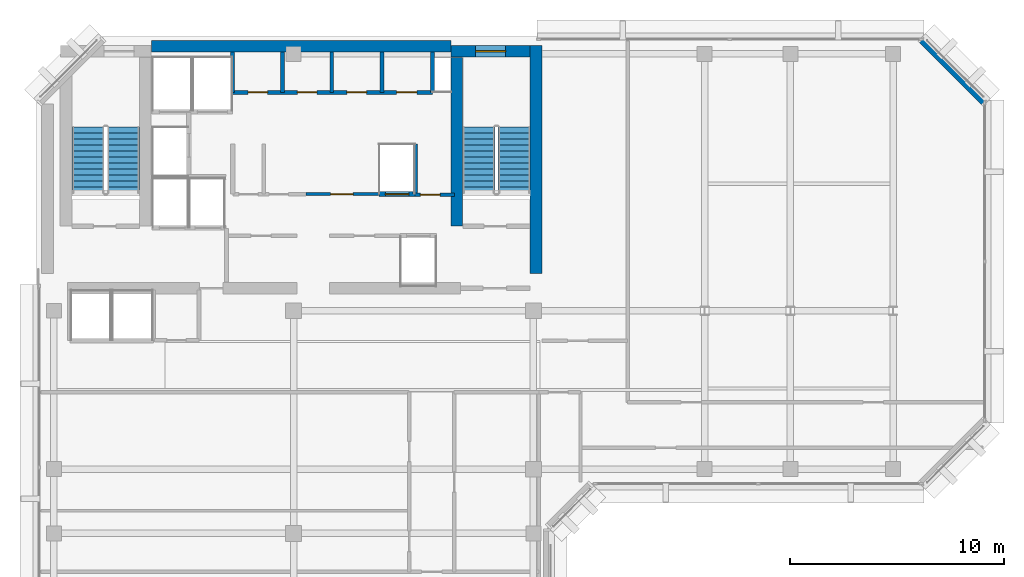
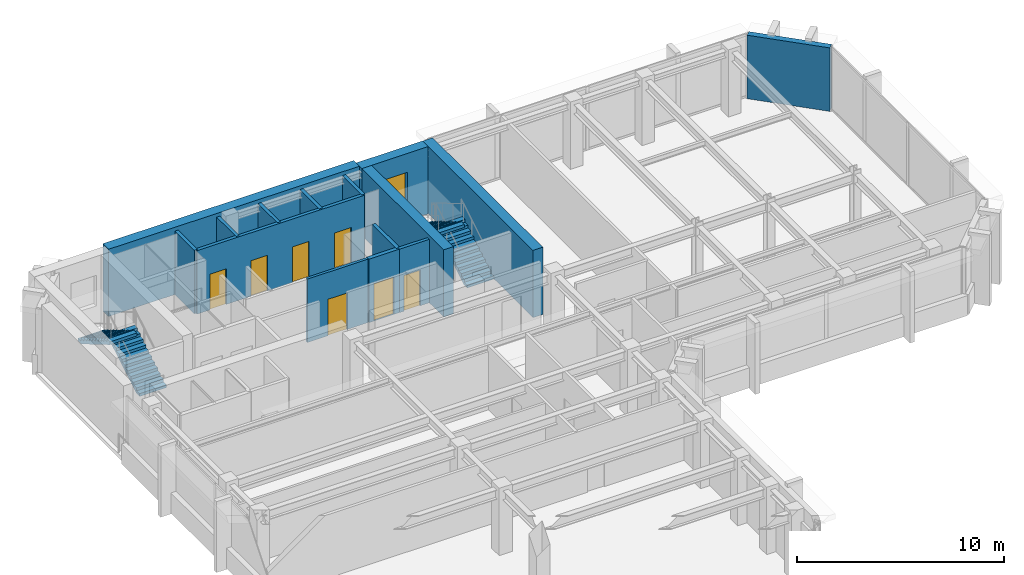
# One storey, part 8 of 11: 15 walls, 7 doors, 4 stair flights, 1 window, 8 openings, 2 elements without a shape of their own.
"""IFC4 building model written with IfcOpenShell, lengths in metres."""

from ifc_helpers import new_model, si_unit, direction, frame, frame_2d, origin, place, context, subcontext, project, spatial, polyline, rectangle, outline, extrude, material, layer, layer_set, type_object, element, fill, aggregate, save


model = new_model("IFC4")

# Units and contexts
model_context = context("Model", 3, precision=1e-05, world=origin(), true_north=direction((0.0, 1.0)))
body_context = subcontext(model_context, "Body", "Model", "MODEL_VIEW")
ifc_project = project(units=[si_unit("LENGTHUNIT", "METRE"), si_unit("AREAUNIT", "SQUARE_METRE"), si_unit("VOLUMEUNIT", "CUBIC_METRE"), si_unit("PLANEANGLEUNIT", "RADIAN"), si_unit("MASSUNIT", "GRAM", prefix="KILO")], contexts=[model_context])

# Site, building, storey
site_placement = place(None, origin())
site = spatial("IfcSite", under=ifc_project, at=site_placement, CompositionType="ELEMENT")
building_placement = place(site_placement, origin())
building = spatial("IfcBuilding", under=site, at=building_placement, Name="Kefirva Bronze Tower", CompositionType="ELEMENT")
storey_placement = place(building_placement, frame((0.0, 0.0, 319.77001953125)))
storey = spatial("IfcBuildingStorey", under=building, at=storey_placement, Name="L78", CompositionType="ELEMENT", Elevation=319.77001953125)

# Wall, opening, door
ifc_material_1 = material(Name="Gypsum acoustic partition")
ifc_layer_1 = layer(ifc_material_1, 0.14990234375, Name="Gypsum acoustic partition")
ifc_layer_set_1 = layer_set([ifc_layer_1], Name="Gypsum acoustic partition")
wall_type_1 = type_object("IfcWallType", Name="Executive Suite Partition 150mm", PredefinedType="PARTITIONING", material=ifc_layer_set_1)
wall_1_placement = place(storey_placement, frame((12.580078125, 38.64990234375, 0.0), z_axis=(0.0, 0.0, 1.0), x_axis=(1.0, 0.0, 0.0)))
wall_1 = element("IfcWall", 1, at=wall_1_placement, inside=storey, type_object=wall_type_1, Name="L78 Partition W-L78-RECMP2", PredefinedType="PARTITIONING", context=body_context, shape_type="SweptSolid", body=[
    extrude(rectangle(XDim=3.3798828125, YDim=0.14990234375, at=frame_2d((1.68994140625, 0.0))), origin(), (0.0, 0.0, 1.0), 3.739990234375),
])
opening_1_placement = place(wall_1_placement, frame((2.199951171875, 0.0, 0.0), z_axis=(0.0, 0.0, 1.0), x_axis=(-1.0, 0.0, 0.0)))
opening_1 = element("IfcOpeningElement", 2, at=opening_1_placement, cuts=wall_1, Name="Opening L78-D-RECMP2", PredefinedType="OPENING", context=body_context, shape_type="SweptSolid", body=[
    extrude(rectangle(XDim=1.050048828125, YDim=2.14990234375, at=frame_2d((0.52490234375, 1.074951171875))), frame((0.0, 0.0849609375, 0.0), z_axis=(0.0, -1.0, 0.0), x_axis=(1.0, 0.0, 0.0)), (0.0, 0.0, 1.0), 0.169921875),
])
ifc_material_2 = material(Name="Acoustic hardwood oak", Category="wood")
door_type_1 = type_object("IfcDoorType", Name="Executive & Boardroom Door 1050x2150", OperationType="NOTDEFINED", PredefinedType="DOOR", material=ifc_material_2)
door_1_placement = place(opening_1_placement, origin())
door_1 = element("IfcDoor", 3, at=door_1_placement, inside=storey, type_object=door_type_1, Name="Door L78-D-RECMP2", OperationType="SINGLE_SWING_RIGHT", OverallHeight=2.14990234375, OverallWidth=1.050048828125, PredefinedType="DOOR", context=body_context, shape_type="SweptSolid", body=[
    extrude(rectangle(XDim=1.050048828125, YDim=2.14990234375, at=frame_2d((0.52490234375, 1.074951171875))), frame((0.0, 0.02490234375, 0.0), z_axis=(0.0, -1.0, 0.0), x_axis=(1.0, 0.0, 0.0)), (0.0, 0.0, 1.0), 0.050048828125),
])
fill(opening_1, door_1)

# Wall
ifc_material_3 = material(Name="Gypsum fireboard shaftwall")
ifc_layer_2 = layer(ifc_material_3, 0.219970703125, Name="Gypsum fireboard shaftwall")
ifc_layer_set_2 = layer_set([ifc_layer_2], Name="Gypsum fireboard shaftwall")
wall_type_2 = type_object("IfcWallType", Name="Fire-Rated Shaft Enclosure Wall 220mm", PredefinedType="PARTITIONING", material=ifc_layer_set_2)
wall_2_placement = place(storey_placement, frame((17.679931640625, 38.64990234375, 0.0), z_axis=(0.0, 0.0, 1.0), x_axis=(0.0, 1.0, 0.0)))
element("IfcWall", 4, at=wall_2_placement, inside=storey, type_object=wall_type_2, Name="L78 Partition W-L78-HP2E", PredefinedType="PARTITIONING", context=body_context, shape_type="SweptSolid", body=[
    extrude(rectangle(XDim=2.35009765625, YDim=0.199951171875, at=frame_2d((1.175048828125, 0.0))), origin(), (0.0, 0.0, 1.0), 3.739990234375),
])

# Wall, opening, door
wall_3_placement = place(storey_placement, frame((15.97998046875, 38.64990234375, 0.0), z_axis=(0.0, 0.0, 1.0), x_axis=(1.0, 0.0, 0.0)))
wall_3 = element("IfcWall", 5, at=wall_3_placement, inside=storey, type_object=wall_type_2, Name="L78 Partition W-L78-HPN", PredefinedType="PARTITIONING", context=body_context, shape_type="SweptSolid", body=[
    extrude(rectangle(XDim=1.719970703125, YDim=0.219970703125, at=frame_2d((0.85986328125, 0.0))), origin(), (0.0, 0.0, 1.0), 3.739990234375),
])
opening_2_placement = place(wall_3_placement, frame((0.300048828125, 0.0, 0.0)))
opening_2 = element("IfcOpeningElement", 6, at=opening_2_placement, cuts=wall_3, Name="Opening L78-LD-HP2", PredefinedType="OPENING", context=body_context, shape_type="SweptSolid", body=[
    extrude(rectangle(XDim=1.10009765625, YDim=2.199951171875, at=frame_2d((0.550048828125, 1.10009765625))), frame((0.0, 0.1201171875, 0.0), z_axis=(0.0, -1.0, 0.0), x_axis=(1.0, 0.0, 0.0)), (0.0, 0.0, 1.0), 0.239990234375),
])
ifc_material_4 = material(Name="Stainless steel 316", Category="steel")
door_type_2 = type_object("IfcDoorType", Name="Passenger Lift Sliding Landing Door 1100x2200", OperationType="SLIDING_TO_LEFT", PredefinedType="DOOR", material=ifc_material_4)
door_2_placement = place(opening_2_placement, origin())
door_2 = element("IfcDoor", 7, at=door_2_placement, inside=storey, type_object=door_type_2, Name="Door L78-LD-HP2", OperationType="SLIDING_TO_LEFT", OverallHeight=2.199951171875, OverallWidth=1.10009765625, PredefinedType="DOOR", context=body_context, shape_type="SweptSolid", body=[
    extrude(rectangle(XDim=1.10009765625, YDim=2.199951171875, at=frame_2d((0.550048828125, 1.10009765625))), frame((0.0, 0.02490234375, 0.0), z_axis=(0.0, -1.0, 0.0), x_axis=(1.0, 0.0, 0.0)), (0.0, 0.0, 1.0), 0.050048828125),
])
fill(opening_2, door_2)

ifc_material_5 = material(Name="Gypsum fireboard barrier")
ifc_layer_3 = layer(ifc_material_5, 0.199951171875, Name="Gypsum fireboard barrier")
ifc_layer_set_3 = layer_set([ifc_layer_3], Name="Gypsum fireboard barrier")
wall_type_3 = type_object("IfcWallType", Name="Firefighting Lobby Barrier Wall 200mm", PredefinedType="PARTITIONING", material=ifc_layer_set_3)
wall_4_placement = place(storey_placement, frame((17.679931640625, 38.6201171875, 0.0), z_axis=(0.0, 0.0, 1.0), x_axis=(1.0, 0.0, 0.0)))
wall_4 = element("IfcWall", 8, at=wall_4_placement, inside=storey, type_object=wall_type_3, Name="L78 Partition W-L78-CPASS", PredefinedType="PARTITIONING", context=body_context, shape_type="SweptSolid", body=[
    extrude(rectangle(XDim=1.840087890625, YDim=0.179931640625, at=frame_2d((0.919921875, 0.0))), origin(), (0.0, 0.0, 1.0), 3.739990234375),
])
opening_3_placement = place(wall_4_placement, frame((0.239990234375, 0.0, 0.0)))
opening_3 = element("IfcOpeningElement", 9, at=opening_3_placement, cuts=wall_4, Name="Opening L78-D-CPAS", PredefinedType="OPENING", context=body_context, shape_type="SweptSolid", body=[
    extrude(rectangle(XDim=0.919921875, YDim=2.10009765625, at=frame_2d((0.4599609375, 1.050048828125))), frame((0.0, 0.10009765625, 0.0), z_axis=(0.0, -1.0, 0.0), x_axis=(1.0, 0.0, 0.0)), (0.0, 0.0, 1.0), 0.199951171875),
])
ifc_material_6 = material(Name="Moisture-resistant timber", Category="wood")
door_type_3 = type_object("IfcDoorType", Name="Accessible Sanitary & WC Door 920x2100", OperationType="NOTDEFINED", PredefinedType="DOOR", material=ifc_material_6)
door_3_placement = place(opening_3_placement, origin())
door_3 = element("IfcDoor", 10, at=door_3_placement, inside=storey, type_object=door_type_3, Name="Door L78-D-CPAS", OperationType="SINGLE_SWING_RIGHT", OverallHeight=2.10009765625, OverallWidth=0.919921875, PredefinedType="DOOR", context=body_context, shape_type="SweptSolid", body=[
    extrude(rectangle(XDim=0.919921875, YDim=2.10009765625, at=frame_2d((0.4599609375, 1.050048828125))), frame((0.0, 0.02490234375, 0.0), z_axis=(0.0, -1.0, 0.0), x_axis=(1.0, 0.0, 0.0)), (0.0, 0.0, 1.0), 0.050048828125),
])
fill(opening_3, door_3)

# Walls
ifc_material_7 = material(Name="Precast concrete C40/50", Category="concrete")
ifc_layer_4 = layer(ifc_material_7, 0.320068359375, Name="Precast concrete C40/50")
ifc_layer_set_4 = layer_set([ifc_layer_4], Name="Precast concrete C40/50")
wall_type_4 = type_object("IfcWallType", Name="Precast Insulated Exterior Wall 320mm", PredefinedType="SOLIDWALL", material=ifc_layer_set_4)
wall_5_placement = place(storey_placement, frame((44.248046875, 42.92578125, 0.0), z_axis=(0.0, 0.0, 1.0), x_axis=(-0.707136318428, 0.707077242712, 0.0)))
element("IfcWall", 11, at=wall_5_placement, inside=storey, type_object=wall_type_4, Name="L78 Exterior Facade Wall 5", PredefinedType="SOLIDWALL", context=body_context, shape_type="SweptSolid", body=[
    extrude(rectangle(XDim=4.132568359375, YDim=0.320068359375, at=frame_2d((2.06640625, 0.0))), origin(), (0.0, 0.0, 1.0), 3.739990234375),
])
ifc_material_8 = material(Name="Concrete C50/60", Category="concrete")
ifc_layer_5 = layer(ifc_material_8, 0.550048828125, Name="Concrete C50/60")
ifc_layer_set_5 = layer_set([ifc_layer_5], Name="Concrete C50/60")
wall_type_5 = type_object("IfcWallType", Name="RC Rear Core Exterior Wall 550mm", PredefinedType="SHEAR", material=ifc_layer_set_5)
wall_6_placement = place(storey_placement, frame((5.360107421875, 45.550048828125, 0.0), z_axis=(0.0, 0.0, 1.0), x_axis=(1.0, 0.0, 0.0)))
element("IfcWall", 12, at=wall_6_placement, inside=storey, type_object=wall_type_5, Name="L78 Rear Core North Shear Wall", PredefinedType="SHEAR", context=body_context, shape_type="SweptSolid", body=[
    extrude(rectangle(XDim=13.97998046875, YDim=0.550048828125, at=frame_2d((6.989990234375, 0.0))), origin(), (0.0, 0.0, 1.0), 3.9599609375),
])

# Wall, opening, window
wall_7_placement = place(storey_placement, frame((19.35009765625, 45.320068359375, 0.0), z_axis=(0.0, 0.0, 1.0), x_axis=(1.0, 0.0, 0.0)))
wall_7 = element("IfcWall", 13, at=wall_7_placement, inside=storey, type_object=wall_type_5, Name="L78 Stair 2 North Shear Wall", PredefinedType="SHEAR", context=body_context, shape_type="SweptSolid", body=[
    extrude(rectangle(XDim=3.68994140625, YDim=0.550048828125, at=frame_2d((1.844970703125, 0.0))), origin(), (0.0, 0.0, 1.0), 3.9599609375),
])
opening_4_placement = place(wall_7_placement, frame((1.14990234375, 0.0, 1.050048828125)))
opening_4 = element("IfcOpeningElement", 14, at=opening_4_placement, cuts=wall_7, Name="Opening WN-03", PredefinedType="OPENING", context=body_context, shape_type="SweptSolid", body=[
    extrude(rectangle(XDim=1.39990234375, YDim=1.800048828125, at=frame_2d((0.699951171875, 0.89990234375))), frame((0.0, 0.28515625, 0.0), z_axis=(0.0, -1.0, 0.0), x_axis=(1.0, 0.0, 0.0)), (0.0, 0.0, 1.0), 0.570068359375),
])
ifc_material_9 = material(Name="Laminated low-E double glazing", Category="glass")
window_type = type_object("IfcWindowType", Name="Rear-Core Stair Daylight Window 1400x1800", PartitioningType="SINGLE_PANEL", PredefinedType="WINDOW", material=ifc_material_9)
window_placement = place(opening_4_placement, origin())
window = element("IfcWindow", 15, at=window_placement, inside=storey, type_object=window_type, Name="L78 Stair 2 Daylight Window", OverallHeight=1.800048828125, OverallWidth=1.39990234375, PartitioningType="SINGLE_PANEL", PredefinedType="WINDOW", context=body_context, shape_type="SweptSolid", body=[
    extrude(rectangle(XDim=1.39990234375, YDim=1.800048828125, at=frame_2d((0.699951171875, 0.89990234375))), frame((0.0, 0.030029296875, 0.0), z_axis=(0.0, -1.0, 0.0), x_axis=(1.0, 0.0, 0.0)), (0.0, 0.0, 1.0), 0.06005859375),
])
fill(opening_4, window)

# Walls
ifc_layer_6 = layer(ifc_material_8, 0.550048828125, Name="Concrete C50/60")
ifc_layer_set_6 = layer_set([ifc_layer_6], Name="Concrete C50/60")
wall_type_6 = type_object("IfcWallType", Name="RC Rear Core Interior Wall 550mm", PredefinedType="SHEAR", material=ifc_layer_set_6)
wall_8_placement = place(storey_placement, frame((23.324951171875, 34.949951171875, 0.0), z_axis=(0.0, 0.0, 1.0), x_axis=(0.0, 1.0, 0.0)))
element("IfcWall", 16, at=wall_8_placement, inside=storey, type_object=wall_type_6, Name="L78 Rear Core East Shear Wall", PredefinedType="SHEAR", context=body_context, shape_type="SweptSolid", body=[
    extrude(rectangle(XDim=10.64013671875, YDim=0.550048828125, at=frame_2d((5.320068359375, 0.0))), origin(), (0.0, 0.0, 1.0), 3.9599609375),
])
wall_9_placement = place(storey_placement, frame((19.6201171875, 37.14990234375, 0.0), z_axis=(0.0, 0.0, 1.0), x_axis=(0.0, 1.0, 0.0)))
element("IfcWall", 17, at=wall_9_placement, inside=storey, type_object=wall_type_6, Name="L78 Stair 2 West Shear Wall", PredefinedType="SHEAR", context=body_context, shape_type="SweptSolid", body=[
    extrude(rectangle(XDim=7.89013671875, YDim=0.550048828125, at=frame_2d((3.945068359375, 0.0))), origin(), (0.0, 0.0, 1.0), 3.9599609375),
])

# Wall, openings, doors
ifc_material_10 = material(Name="Moisture-resistant partition")
ifc_layer_7 = layer(ifc_material_10, 0.179931640625, Name="Moisture-resistant partition")
ifc_layer_set_7 = layer_set([ifc_layer_7], Name="Moisture-resistant partition")
wall_type_7 = type_object("IfcWallType", Name="Sanitary Plumbing Chase Wall 180mm", PredefinedType="PLUMBINGWALL", material=ifc_layer_set_7)
wall_10_placement = place(storey_placement, frame((9.14990234375, 43.39990234375, 0.0), z_axis=(0.0, 0.0, 1.0), x_axis=(1.0, 0.0, 0.0)))
wall_10 = element("IfcWall", 18, at=wall_10_placement, inside=storey, type_object=wall_type_7, Name="L78 Partition W-L78-SVCS", PredefinedType="PLUMBINGWALL", context=body_context, shape_type="SweptSolid", body=[
    extrude(rectangle(XDim=9.330078125, YDim=0.179931640625, at=frame_2d((4.6650390625, 0.0))), origin(), (0.0, 0.0, 1.0), 3.739990234375),
])
opening_5_placement = place(wall_10_placement, frame((0.719970703125, 0.0, 0.0)))
opening_5 = element("IfcOpeningElement", 19, at=opening_5_placement, cuts=wall_10, Name="Opening L78-D-CSVC1", PredefinedType="OPENING", context=body_context, shape_type="SweptSolid", body=[
    extrude(rectangle(XDim=0.919921875, YDim=2.10009765625, at=frame_2d((0.4599609375, 1.050048828125))), frame((0.0, 0.10009765625, 0.0), z_axis=(0.0, -1.0, 0.0), x_axis=(1.0, 0.0, 0.0)), (0.0, 0.0, 1.0), 0.199951171875),
])
opening_6_placement = place(wall_10_placement, frame((3.02001953125, 0.0, 0.0)))
opening_6 = element("IfcOpeningElement", 20, at=opening_6_placement, cuts=wall_10, Name="Opening L78-D-CSVC2", PredefinedType="OPENING", context=body_context, shape_type="SweptSolid", body=[
    extrude(rectangle(XDim=0.919921875, YDim=2.10009765625, at=frame_2d((0.4599609375, 1.050048828125))), frame((0.0, 0.10009765625, 0.0), z_axis=(0.0, -1.0, 0.0), x_axis=(1.0, 0.0, 0.0)), (0.0, 0.0, 1.0), 0.199951171875),
])
opening_7_placement = place(wall_10_placement, frame((5.340087890625, 0.0, 0.0)))
opening_7 = element("IfcOpeningElement", 21, at=opening_7_placement, cuts=wall_10, Name="Opening L78-D-CSVC3", PredefinedType="OPENING", context=body_context, shape_type="SweptSolid", body=[
    extrude(rectangle(XDim=0.919921875, YDim=2.10009765625, at=frame_2d((0.4599609375, 1.050048828125))), frame((0.0, 0.10009765625, 0.0), z_axis=(0.0, -1.0, 0.0), x_axis=(1.0, 0.0, 0.0)), (0.0, 0.0, 1.0), 0.199951171875),
])
opening_8_placement = place(wall_10_placement, frame((7.659912109375, 0.0, 0.0)))
opening_8 = element("IfcOpeningElement", 22, at=opening_8_placement, cuts=wall_10, Name="Opening L78-D-CSVC4", PredefinedType="OPENING", context=body_context, shape_type="SweptSolid", body=[
    extrude(rectangle(XDim=0.949951171875, YDim=2.10009765625, at=frame_2d((0.47509765625, 1.050048828125))), frame((0.0, 0.10009765625, 0.0), z_axis=(0.0, -1.0, 0.0), x_axis=(1.0, 0.0, 0.0)), (0.0, 0.0, 1.0), 0.199951171875),
])
door_4_placement = place(opening_5_placement, origin())
door_4 = element("IfcDoor", 23, at=door_4_placement, inside=storey, type_object=door_type_3, Name="Door L78-D-CSVC1", OperationType="SINGLE_SWING_LEFT", OverallHeight=2.10009765625, OverallWidth=0.919921875, PredefinedType="DOOR", context=body_context, shape_type="SweptSolid", body=[
    extrude(rectangle(XDim=0.919921875, YDim=2.10009765625, at=frame_2d((0.4599609375, 1.050048828125))), frame((0.0, 0.02490234375, 0.0), z_axis=(0.0, -1.0, 0.0), x_axis=(1.0, 0.0, 0.0)), (0.0, 0.0, 1.0), 0.050048828125),
])
fill(opening_5, door_4)
door_5_placement = place(opening_6_placement, origin())
door_5 = element("IfcDoor", 24, at=door_5_placement, inside=storey, type_object=door_type_3, Name="Door L78-D-CSVC2", OperationType="SINGLE_SWING_RIGHT", OverallHeight=2.10009765625, OverallWidth=0.919921875, PredefinedType="DOOR", context=body_context, shape_type="SweptSolid", body=[
    extrude(rectangle(XDim=0.919921875, YDim=2.10009765625, at=frame_2d((0.4599609375, 1.050048828125))), frame((0.0, 0.02490234375, 0.0), z_axis=(0.0, -1.0, 0.0), x_axis=(1.0, 0.0, 0.0)), (0.0, 0.0, 1.0), 0.050048828125),
])
fill(opening_6, door_5)
door_6_placement = place(opening_7_placement, origin())
door_6 = element("IfcDoor", 25, at=door_6_placement, inside=storey, type_object=door_type_3, Name="Door L78-D-CSVC3", OperationType="SINGLE_SWING_LEFT", OverallHeight=2.10009765625, OverallWidth=0.919921875, PredefinedType="DOOR", context=body_context, shape_type="SweptSolid", body=[
    extrude(rectangle(XDim=0.919921875, YDim=2.10009765625, at=frame_2d((0.4599609375, 1.050048828125))), frame((0.0, 0.02490234375, 0.0), z_axis=(0.0, -1.0, 0.0), x_axis=(1.0, 0.0, 0.0)), (0.0, 0.0, 1.0), 0.050048828125),
])
fill(opening_7, door_6)
ifc_material_11 = material(Name="Painted galvanized steel", Category="steel")
door_type_4 = type_object("IfcDoorType", Name="Riser & Plant Shaft Fire Door 950x2100 FD60S", OperationType="NOTDEFINED", PredefinedType="DOOR", material=ifc_material_11)
door_7_placement = place(opening_8_placement, origin())
door_7 = element("IfcDoor", 26, at=door_7_placement, inside=storey, type_object=door_type_4, Name="Door L78-D-CSVC4", OperationType="SINGLE_SWING_RIGHT", OverallHeight=2.10009765625, OverallWidth=0.949951171875, PredefinedType="DOOR", context=body_context, shape_type="SweptSolid", body=[
    extrude(rectangle(XDim=0.949951171875, YDim=2.10009765625, at=frame_2d((0.47509765625, 1.050048828125))), frame((0.0, 0.02490234375, 0.0), z_axis=(0.0, -1.0, 0.0), x_axis=(1.0, 0.0, 0.0)), (0.0, 0.0, 1.0), 0.050048828125),
])
fill(opening_8, door_7)

# Walls
for number, where, z_axis, x_axis, name in (
    (27, (9.14990234375, 43.39990234375, 0.0), (0.0, 0.0, 1.0), (0.0, 1.0, 0.0), "L78 Partition W-L78-SVCW"),
    (28, (18.47998046875, 43.39990234375, 0.0), (0.0, 0.0, 1.0), (0.0, 1.0, 0.0), "L78 Partition W-L78-SVCE"),
    (29, (11.47998046875, 43.39990234375, 0.0), (0.0, 0.0, 1.0), (0.0, 1.0, 0.0), "L78 Partition W-L78-CSVD-1"),
    (30, (13.780029296875, 43.39990234375, 0.0), (0.0, 0.0, 1.0), (0.0, 1.0, 0.0), "L78 Partition W-L78-CSVD-2"),
    (31, (16.1201171875, 43.39990234375, 0.0), (0.0, 0.0, 1.0), (0.0, 1.0, 0.0), "L78 Partition W-L78-CSVD-3"),
):
    element("IfcWall", number, at=place(storey_placement, frame(where, z_axis=z_axis, x_axis=x_axis)), inside=storey, type_object=wall_type_7, Name=name, PredefinedType="PLUMBINGWALL", context=body_context, shape_type="SweptSolid", body=[
        extrude(rectangle(XDim=1.880126953125, YDim=0.179931640625, at=frame_2d((0.93994140625, 0.0))), origin(), (0.0, 0.0, 1.0), 3.739990234375),
    ])

# Stair, stair flights
ifc_material_12 = material(Name="Concrete C40/50", Category="concrete")
stair_type = type_object("IfcStairType", Name="RC Dogleg Protected Stair 24R", PredefinedType="HALF_TURN_STAIR", material=ifc_material_12)
stair_1_placement = place(storey_placement, origin())
stair_1 = element("IfcStair", 32, at=stair_1_placement, inside=storey, type_object=stair_type, Name="L78 Protected Exit Stair 1", PredefinedType="HALF_TURN_STAIR")
stair_flight_type = type_object("IfcStairFlightType", Name="RC Straight Stair Flight 24R", PredefinedType="STRAIGHT", material=ifc_material_12)
stair_flight_1_placement = place(storey_placement, frame((4.050048828125, 38.699951171875, 0.0), z_axis=(0.0, 0.0, 1.0), x_axis=(0.0, 1.0, 0.0)))
stair_flight_1 = element("IfcStairFlight", 33, at=stair_flight_1_placement, type_object=stair_flight_type, Name="ST-1 flight 1", NumberOfRisers=12, NumberOfTreads=11, PredefinedType="STRAIGHT", RiserHeight=0.165, TreadLength=0.28, context=body_context, shape_type="SweptSolid", body=[
    extrude(outline(polyline([(0.0, 0.0), (0.0, 0.1650390625), (0.280029296875, 0.1650390625), (0.280029296875, 0.330078125), (0.56005859375, 0.330078125), (0.56005859375, 0.4951171875), (0.840087890625, 0.4951171875), (0.840087890625, 0.659912109375), (1.1201171875, 0.659912109375), (1.1201171875, 0.824951171875), (1.39990234375, 0.824951171875), (1.39990234375, 0.989990234375), (1.679931640625, 0.989990234375), (1.679931640625, 1.155029296875), (1.9599609375, 1.155029296875), (1.9599609375, 1.320068359375), (2.239990234375, 1.320068359375), (2.239990234375, 1.485107421875), (2.52001953125, 1.485107421875), (2.52001953125, 1.64990234375), (2.800048828125, 1.64990234375), (2.800048828125, 1.81494140625), (3.080078125, 1.81494140625), (3.080078125, 1.97998046875), (3.080078125, 1.64111328125), (0.295166015625, 0.0), (0.0, 0.0)])), frame((0.0, 0.75, 0.0), z_axis=(0.0, -1.0, 0.0), x_axis=(1.0, 0.0, 0.0)), (0.0, 0.0, 1.0), 1.5),
])
stair_flight_2_placement = place(storey_placement, frame((2.39990234375, 41.780029296875, 1.97998046875), z_axis=(0.0, 0.0, 1.0), x_axis=(0.0, -1.0, 0.0)))
stair_flight_2 = element("IfcStairFlight", 34, at=stair_flight_2_placement, type_object=stair_flight_type, Name="ST-1 flight 2", NumberOfRisers=12, NumberOfTreads=11, PredefinedType="STRAIGHT", RiserHeight=0.165, TreadLength=0.28, context=body_context, shape_type="SweptSolid", body=[
    extrude(outline(polyline([(0.0, 0.0), (0.0, 0.1650390625), (0.280029296875, 0.1650390625), (0.280029296875, 0.330078125), (0.56005859375, 0.330078125), (0.56005859375, 0.4951171875), (0.840087890625, 0.4951171875), (0.840087890625, 0.659912109375), (1.1201171875, 0.659912109375), (1.1201171875, 0.824951171875), (1.39990234375, 0.824951171875), (1.39990234375, 0.989990234375), (1.679931640625, 0.989990234375), (1.679931640625, 1.155029296875), (1.9599609375, 1.155029296875), (1.9599609375, 1.320068359375), (2.239990234375, 1.320068359375), (2.239990234375, 1.485107421875), (2.52001953125, 1.485107421875), (2.52001953125, 1.64990234375), (2.800048828125, 1.64990234375), (2.800048828125, 1.81494140625), (3.080078125, 1.81494140625), (3.080078125, 1.97998046875), (3.080078125, 1.64111328125), (0.295166015625, 0.0), (0.0, 0.0)])), frame((0.0, 0.75, 0.0), z_axis=(0.0, -1.0, 0.0), x_axis=(1.0, 0.0, 0.0)), (0.0, 0.0, 1.0), 1.5),
])
aggregate(stair_1, [stair_flight_1, stair_flight_2])

stair_2_placement = place(storey_placement, origin())
stair_2 = element("IfcStair", 35, at=stair_2_placement, inside=storey, type_object=stair_type, Name="L78 Protected Exit Stair 2", PredefinedType="HALF_TURN_STAIR")
stair_flight_3_placement = place(storey_placement, frame((22.300048828125, 38.699951171875, 0.0), z_axis=(0.0, 0.0, 1.0), x_axis=(0.0, 1.0, 0.0)))
stair_flight_3 = element("IfcStairFlight", 36, at=stair_flight_3_placement, type_object=stair_flight_type, Name="ST-2 flight 1", NumberOfRisers=12, NumberOfTreads=11, PredefinedType="STRAIGHT", RiserHeight=0.165, TreadLength=0.28, context=body_context, shape_type="SweptSolid", body=[
    extrude(outline(polyline([(0.0, 0.0), (0.0, 0.1650390625), (0.280029296875, 0.1650390625), (0.280029296875, 0.330078125), (0.56005859375, 0.330078125), (0.56005859375, 0.4951171875), (0.840087890625, 0.4951171875), (0.840087890625, 0.659912109375), (1.1201171875, 0.659912109375), (1.1201171875, 0.824951171875), (1.39990234375, 0.824951171875), (1.39990234375, 0.989990234375), (1.679931640625, 0.989990234375), (1.679931640625, 1.155029296875), (1.9599609375, 1.155029296875), (1.9599609375, 1.320068359375), (2.239990234375, 1.320068359375), (2.239990234375, 1.485107421875), (2.52001953125, 1.485107421875), (2.52001953125, 1.64990234375), (2.800048828125, 1.64990234375), (2.800048828125, 1.81494140625), (3.080078125, 1.81494140625), (3.080078125, 1.97998046875), (3.080078125, 1.64111328125), (0.295166015625, 0.0), (0.0, 0.0)])), frame((0.0, 0.75, 0.0), z_axis=(0.0, -1.0, 0.0), x_axis=(1.0, 0.0, 0.0)), (0.0, 0.0, 1.0), 1.5),
])
stair_flight_4_placement = place(storey_placement, frame((20.64990234375, 41.780029296875, 1.97998046875), z_axis=(0.0, 0.0, 1.0), x_axis=(0.0, -1.0, 0.0)))
stair_flight_4 = element("IfcStairFlight", 37, at=stair_flight_4_placement, type_object=stair_flight_type, Name="ST-2 flight 2", NumberOfRisers=12, NumberOfTreads=11, PredefinedType="STRAIGHT", RiserHeight=0.165, TreadLength=0.28, context=body_context, shape_type="SweptSolid", body=[
    extrude(outline(polyline([(0.0, 0.0), (0.0, 0.1650390625), (0.280029296875, 0.1650390625), (0.280029296875, 0.330078125), (0.56005859375, 0.330078125), (0.56005859375, 0.4951171875), (0.840087890625, 0.4951171875), (0.840087890625, 0.659912109375), (1.1201171875, 0.659912109375), (1.1201171875, 0.824951171875), (1.39990234375, 0.824951171875), (1.39990234375, 0.989990234375), (1.679931640625, 0.989990234375), (1.679931640625, 1.155029296875), (1.9599609375, 1.155029296875), (1.9599609375, 1.320068359375), (2.239990234375, 1.320068359375), (2.239990234375, 1.485107421875), (2.52001953125, 1.485107421875), (2.52001953125, 1.64990234375), (2.800048828125, 1.64990234375), (2.800048828125, 1.81494140625), (3.080078125, 1.81494140625), (3.080078125, 1.97998046875), (3.080078125, 1.64111328125), (0.295166015625, 0.0), (0.0, 0.0)])), frame((0.0, 0.75, 0.0), z_axis=(0.0, -1.0, 0.0), x_axis=(1.0, 0.0, 0.0)), (0.0, 0.0, 1.0), 1.5),
])
aggregate(stair_2, [stair_flight_3, stair_flight_4])

save(model, "model.ifc")
